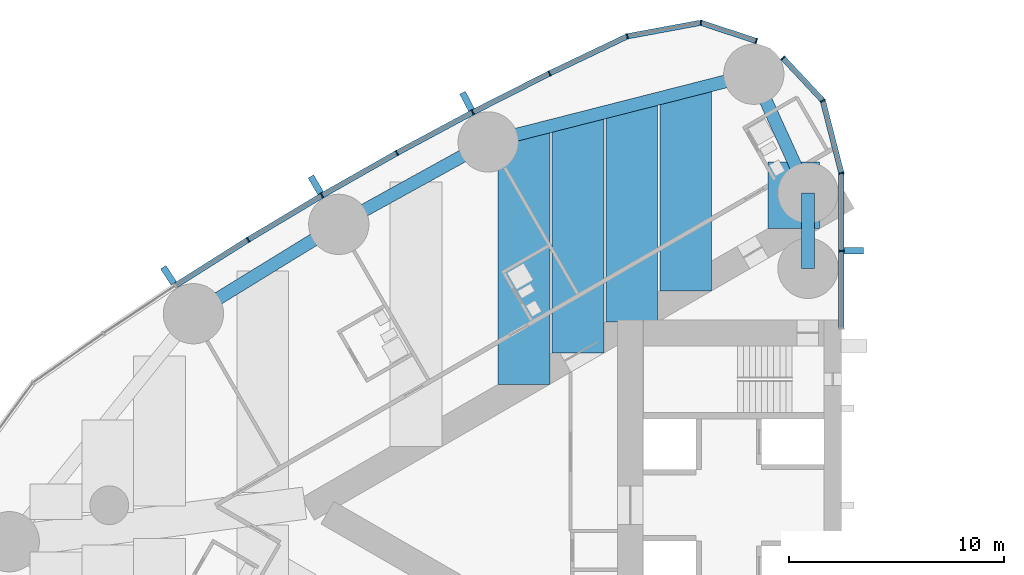
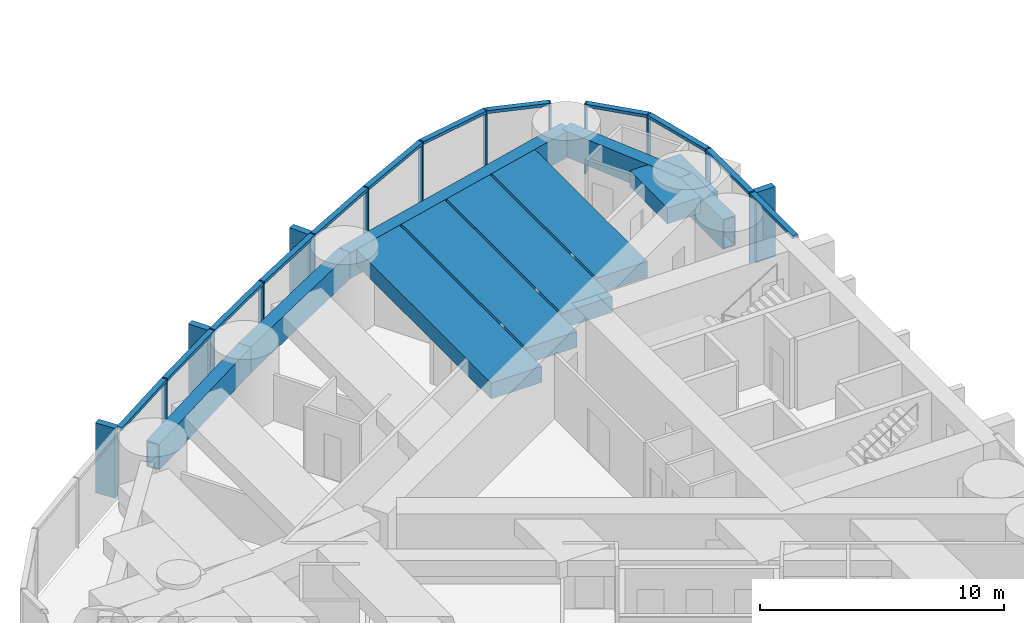
# One storey, part 5 of 19: 28 members, 10 beams, 2 elements without a shape of their own.
"""IFC4 building model written with IfcOpenShell, lengths in metres."""

from ifc_helpers import new_model, si_unit, direction, frame, origin, origin_2d, place, context, subcontext, project, spatial, rectangle, hollow_rectangle, extrude, material, material_profile, profile_set, type_object, element, aggregate, save


model = new_model("IFC4")

# Units and contexts
model_context = context("Model", 3, precision=1e-05, world=origin(), true_north=direction((0.0, 1.0)))
body_context = subcontext(model_context, "Body", "Model", "MODEL_VIEW")
ifc_project = project(units=[si_unit("LENGTHUNIT", "METRE"), si_unit("AREAUNIT", "SQUARE_METRE"), si_unit("VOLUMEUNIT", "CUBIC_METRE"), si_unit("PLANEANGLEUNIT", "RADIAN"), si_unit("MASSUNIT", "GRAM", prefix="KILO")], contexts=[model_context])

# Site, building, storey
site_placement = place(None, origin())
site = spatial("IfcSite", under=ifc_project, at=site_placement, CompositionType="ELEMENT")
building_placement = place(site_placement, origin())
building = spatial("IfcBuilding", under=site, at=building_placement, Name="Lancet Gate Hotel", CompositionType="ELEMENT")
storey_placement = place(building_placement, frame((0.0, 0.0, 198.300048828125)))
storey = spatial("IfcBuildingStorey", under=building, at=storey_placement, Name="L53", CompositionType="ELEMENT", Elevation=198.300048828125)

# Curtain wall, members
ifc_material_1 = material(Name="Aluminium curtain wall", Category="aluminium")
curtain_wall_type = type_object("IfcCurtainWallType", Name="Tower unitised curtain wall", PredefinedType="USERDEFINED", material=ifc_material_1)
curtain_wall_1_placement = place(storey_placement, origin())
curtain_wall_1 = element("IfcCurtainWall", 1, at=curtain_wall_1_placement, inside=storey, type_object=curtain_wall_type, Name="T1 L53 curtain wall 1", ObjectType="UNITISED CURTAIN WALL", PredefinedType="USERDEFINED")
ifc_material_2 = material(Name="Aluminium mullion", Category="aluminium")
ifc_material_profile_1 = material_profile(ifc_material_2, rectangle(XDim=0.06494140625, YDim=0.25, at=origin_2d()), Name="MULLION 65x250")
ifc_profile_set_1 = profile_set([ifc_material_profile_1], Name="Aluminium mullion")
member_type_1 = type_object("IfcMemberType", Name="Aluminium mullion 65x250", PredefinedType="MULLION", material=ifc_profile_set_1)
member_1_placement = place(storey_placement, frame((-27.5, 11.811767578125, 0.0), z_axis=(0.0, 0.0, 1.0), x_axis=(0.0, 1.0, 0.0)))
member_1 = element("IfcMember", 2, at=member_1_placement, type_object=member_type_1, Name="T1 L53 curtain wall 1 mullion 2", PredefinedType="MULLION", context=body_context, shape_type="SweptSolid", body=[
    extrude(rectangle(XDim=0.06494140625, YDim=0.25, at=origin_2d()), origin(), (0.0, 0.0, 1.0), 3.5),
])
member_2_placement = place(storey_placement, frame((-27.5, 15.42333984375, 0.0), z_axis=(0.0, 0.0, 1.0), x_axis=(-0.122467472845, 0.992472527627, 0.0)))
member_2 = element("IfcMember", 3, at=member_2_placement, type_object=member_type_1, Name="T1 L53 curtain wall 1 mullion 3", PredefinedType="MULLION", context=body_context, shape_type="SweptSolid", body=[
    extrude(rectangle(XDim=0.06494140625, YDim=0.25, at=origin_2d()), origin(), (0.0, 0.0, 1.0), 3.5),
])
member_3_placement = place(storey_placement, frame((-28.360595703125, 18.7861328125, 0.0), z_axis=(0.0, 0.0, 1.0), x_axis=(-0.452507601198, 0.891760545695, 0.0)))
member_3 = element("IfcMember", 4, at=member_3_placement, type_object=member_type_1, Name="T1 L53 curtain wall 1 mullion 4", PredefinedType="MULLION", context=body_context, shape_type="SweptSolid", body=[
    extrude(rectangle(XDim=0.06494140625, YDim=0.25, at=origin_2d()), origin(), (0.0, 0.0, 1.0), 3.5),
])
member_4_placement = place(storey_placement, frame((-30.210693359375, 20.765625, 0.0), z_axis=(0.0, 0.0, 1.0), x_axis=(-0.682844962172, 0.730563315282, 0.0)))
member_4 = element("IfcMember", 5, at=member_4_placement, type_object=member_type_1, Name="T1 L53 curtain wall 1 mullion 5", PredefinedType="MULLION", context=body_context, shape_type="SweptSolid", body=[
    extrude(rectangle(XDim=0.06494140625, YDim=0.25, at=origin_2d()), origin(), (0.0, 0.0, 1.0), 3.5),
])

curtain_wall_2_placement = place(storey_placement, origin())
curtain_wall_2 = element("IfcCurtainWall", 6, at=curtain_wall_2_placement, inside=storey, type_object=curtain_wall_type, Name="T1 L53 curtain wall 2", ObjectType="UNITISED CURTAIN WALL", PredefinedType="USERDEFINED")
member_5_placement = place(storey_placement, frame((-31.45263671875, 21.5595703125, 0.0), z_axis=(0.0, 0.0, 1.0), x_axis=(-0.949848055084, 0.312711803827, 0.0)))
member_5 = element("IfcMember", 7, at=member_5_placement, type_object=member_type_1, Name="T1 L53 curtain wall 2 mullion 1", PredefinedType="MULLION", context=body_context, shape_type="SweptSolid", body=[
    extrude(rectangle(XDim=0.06494140625, YDim=0.25, at=origin_2d()), origin(), (0.0, 0.0, 1.0), 3.5),
])
member_6_placement = place(storey_placement, frame((-34.02783203125, 22.407470703125, 0.0), z_axis=(0.0, 0.0, 1.0), x_axis=(-0.999350473622, 0.036036521361, 0.0)))
member_6 = element("IfcMember", 8, at=member_6_placement, type_object=member_type_1, Name="T1 L53 curtain wall 2 mullion 2", PredefinedType="MULLION", context=body_context, shape_type="SweptSolid", body=[
    extrude(rectangle(XDim=0.06494140625, YDim=0.25, at=origin_2d()), origin(), (0.0, 0.0, 1.0), 3.5),
])
member_7_placement = place(storey_placement, frame((-37.44091796875, 21.775634765625, 0.0), z_axis=(0.0, 0.0, 1.0), x_axis=(-0.948119321052, -0.317914694609, 0.0)))
member_7 = element("IfcMember", 9, at=member_7_placement, type_object=member_type_1, Name="T1 L53 curtain wall 2 mullion 3", PredefinedType="MULLION", context=body_context, shape_type="SweptSolid", body=[
    extrude(rectangle(XDim=0.06494140625, YDim=0.25, at=origin_2d()), origin(), (0.0, 0.0, 1.0), 3.5),
])
member_8_placement = place(storey_placement, frame((-41.0498046875, 20.052978515625, 0.0), z_axis=(0.0, 0.0, 1.0), x_axis=(-0.897324392142, -0.441371652088, 0.0)))
member_8 = element("IfcMember", 10, at=member_8_placement, type_object=member_type_1, Name="T1 L53 curtain wall 2 mullion 4", PredefinedType="MULLION", context=body_context, shape_type="SweptSolid", body=[
    extrude(rectangle(XDim=0.06494140625, YDim=0.25, at=origin_2d()), origin(), (0.0, 0.0, 1.0), 3.5),
])
member_9_placement = place(storey_placement, frame((-44.6171875, 18.245849609375, 0.0), z_axis=(0.0, 0.0, 1.0), x_axis=(-0.886694440064, -0.462355891019, 0.0)))
member_9 = element("IfcMember", 11, at=member_9_placement, type_object=member_type_1, Name="T1 L53 curtain wall 2 mullion 5", PredefinedType="MULLION", context=body_context, shape_type="SweptSolid", body=[
    extrude(rectangle(XDim=0.06494140625, YDim=0.25, at=origin_2d()), origin(), (0.0, 0.0, 1.0), 3.5),
])
member_10_placement = place(storey_placement, frame((-48.140869140625, 16.355224609375, 0.0), z_axis=(0.0, 0.0, 1.0), x_axis=(-0.87557384965, -0.483084292654, 0.0)))
member_10 = element("IfcMember", 12, at=member_10_placement, type_object=member_type_1, Name="T1 L53 curtain wall 2 mullion 6", PredefinedType="MULLION", context=body_context, shape_type="SweptSolid", body=[
    extrude(rectangle(XDim=0.06494140625, YDim=0.25, at=origin_2d()), origin(), (0.0, 0.0, 1.0), 3.5),
])
member_11_placement = place(storey_placement, frame((-51.619384765625, 14.38232421875, 0.0), z_axis=(0.0, 0.0, 1.0), x_axis=(-0.863968774311, -0.503545387245, 0.0)))
member_11 = element("IfcMember", 13, at=member_11_placement, type_object=member_type_1, Name="T1 L53 curtain wall 2 mullion 7", PredefinedType="MULLION", context=body_context, shape_type="SweptSolid", body=[
    extrude(rectangle(XDim=0.06494140625, YDim=0.25, at=origin_2d()), origin(), (0.0, 0.0, 1.0), 3.5),
])
member_12_placement = place(storey_placement, frame((-55.05029296875, 12.328369140625, 0.0), z_axis=(0.0, 0.0, 1.0), x_axis=(-0.851885635531, -0.52372785297, 0.0)))
member_12 = element("IfcMember", 14, at=member_12_placement, type_object=member_type_1, Name="T1 L53 curtain wall 2 mullion 8", PredefinedType="MULLION", context=body_context, shape_type="SweptSolid", body=[
    extrude(rectangle(XDim=0.06494140625, YDim=0.25, at=origin_2d()), origin(), (0.0, 0.0, 1.0), 3.5),
])

# Member
ifc_material_3 = material(Name="Aluminium transom", Category="aluminium")
ifc_material_profile_2 = material_profile(ifc_material_3, rectangle(XDim=0.25, YDim=0.14990234375, at=origin_2d()), Name="TRANSOM 250x150")
ifc_profile_set_2 = profile_set([ifc_material_profile_2], Name="Aluminium transom")
member_type_2 = type_object("IfcMemberType", Name="Aluminium transom 250x150", PredefinedType="USERDEFINED", material=ifc_profile_set_2)
member_13_placement = place(storey_placement, frame((-27.5, 8.232421875, 3.425048828125), z_axis=(0.0, 1.0, 0.0), x_axis=(-1.0, 0.0, 0.0)))
member_13 = element("IfcMember", 15, at=member_13_placement, type_object=member_type_2, Name="T1 L53 curtain wall 1 transom 1", ObjectType="TRANSOM", PredefinedType="USERDEFINED", context=body_context, shape_type="SweptSolid", body=[
    extrude(rectangle(XDim=0.25, YDim=0.14990234375, at=origin_2d()), origin(), (0.0, 0.0, 1.0), 3.546875),
])

member_14_placement = place(storey_placement, frame((-27.5, 11.84423828125, 3.425048828125), z_axis=(0.0, 1.0, 0.0), x_axis=(-1.0, 0.0, 0.0)))
member_14 = element("IfcMember", 16, at=member_14_placement, type_object=member_type_2, Name="T1 L53 curtain wall 1 transom 2", ObjectType="TRANSOM", PredefinedType="USERDEFINED", context=body_context, shape_type="SweptSolid", body=[
    extrude(rectangle(XDim=0.25, YDim=0.14990234375, at=origin_2d()), origin(), (0.0, 0.0, 1.0), 3.546630859375),
])

member_15_placement = place(storey_placement, frame((-27.508056640625, 15.454833984375, 3.425048828125), z_axis=(-0.247928683912, 0.968778286139, 0.0), x_axis=(-0.968778286139, -0.247928683912, 0.0)))
member_15 = element("IfcMember", 17, at=member_15_placement, type_object=member_type_2, Name="T1 L53 curtain wall 1 transom 3", ObjectType="TRANSOM", PredefinedType="USERDEFINED", context=body_context, shape_type="SweptSolid", body=[
    extrude(rectangle(XDim=0.25, YDim=0.14990234375, at=origin_2d()), origin(), (0.0, 0.0, 1.0), 3.40625),
])

member_16_placement = place(storey_placement, frame((-28.3828125, 18.809814453125, 3.425048828125), z_axis=(-0.682841037959, 0.730566983157, 0.0), x_axis=(-0.730566983157, -0.682841037959, 0.0)))
member_16 = element("IfcMember", 18, at=member_16_placement, type_object=member_type_2, Name="T1 L53 curtain wall 1 transom 4", ObjectType="TRANSOM", PredefinedType="USERDEFINED", context=body_context, shape_type="SweptSolid", body=[
    extrude(rectangle(XDim=0.25, YDim=0.14990234375, at=origin_2d()), origin(), (0.0, 0.0, 1.0), 2.644775390625),
])

member_17_placement = place(storey_placement, frame((-31.483642578125, 21.56982421875, 3.425048828125), z_axis=(-0.949857661259, 0.312682623993, 0.0), x_axis=(-0.312682623993, -0.949857661259, 0.0)))
member_17 = element("IfcMember", 19, at=member_17_placement, type_object=member_type_2, Name="T1 L53 curtain wall 2 transom 1", ObjectType="TRANSOM", PredefinedType="USERDEFINED", context=body_context, shape_type="SweptSolid", body=[
    extrude(rectangle(XDim=0.25, YDim=0.14990234375, at=origin_2d()), origin(), (0.0, 0.0, 1.0), 2.64599609375),
])

member_18_placement = place(storey_placement, frame((-34.059814453125, 22.401611328125, 3.425048828125), z_axis=(-0.983286757871, -0.182063592724, 0.0), x_axis=(0.182063592724, -0.983286757871, 0.0)))
member_18 = element("IfcMember", 20, at=member_18_placement, type_object=member_type_2, Name="T1 L53 curtain wall 2 transom 2", ObjectType="TRANSOM", PredefinedType="USERDEFINED", context=body_context, shape_type="SweptSolid", body=[
    extrude(rectangle(XDim=0.25, YDim=0.14990234375, at=origin_2d()), origin(), (0.0, 0.0, 1.0), 3.406005859375),
])

member_19_placement = place(storey_placement, frame((-37.47021484375, 21.761474609375, 3.425048828125), z_axis=(-0.902468975385, -0.430754858902, 0.0), x_axis=(0.430754858902, -0.902468975385, 0.0)))
member_19 = element("IfcMember", 21, at=member_19_placement, type_object=member_type_2, Name="T1 L53 curtain wall 2 transom 3", ObjectType="TRANSOM", PredefinedType="USERDEFINED", context=body_context, shape_type="SweptSolid", body=[
    extrude(rectangle(XDim=0.25, YDim=0.14990234375, at=origin_2d()), origin(), (0.0, 0.0, 1.0), 3.93408203125),
])

member_20_placement = place(storey_placement, frame((-41.078857421875, 20.0380859375, 3.425048828125), z_axis=(-0.892081477453, -0.451874581699, 0.0), x_axis=(0.451874581699, -0.892081477453, 0.0)))
member_20 = element("IfcMember", 22, at=member_20_placement, type_object=member_type_2, Name="T1 L53 curtain wall 2 transom 4", ObjectType="TRANSOM", PredefinedType="USERDEFINED", context=body_context, shape_type="SweptSolid", body=[
    extrude(rectangle(XDim=0.25, YDim=0.14990234375, at=origin_2d()), origin(), (0.0, 0.0, 1.0), 3.933837890625),
])

member_21_placement = place(storey_placement, frame((-44.645751953125, 18.23046875, 3.425048828125), z_axis=(-0.881185491994, -0.472770693571, 0.0), x_axis=(0.472770693571, -0.881185491994, 0.0)))
member_21 = element("IfcMember", 23, at=member_21_placement, type_object=member_type_2, Name="T1 L53 curtain wall 2 transom 5", ObjectType="TRANSOM", PredefinedType="USERDEFINED", context=body_context, shape_type="SweptSolid", body=[
    extrude(rectangle(XDim=0.25, YDim=0.14990234375, at=origin_2d()), origin(), (0.0, 0.0, 1.0), 3.93408203125),
])

member_22_placement = place(storey_placement, frame((-48.169189453125, 16.33935546875, 3.425048828125), z_axis=(-0.869819807367, -0.493369539709, 0.0), x_axis=(0.493369539709, -0.869819807367, 0.0)))
member_22 = element("IfcMember", 24, at=member_22_placement, type_object=member_type_2, Name="T1 L53 curtain wall 2 transom 6", ObjectType="TRANSOM", PredefinedType="USERDEFINED", context=body_context, shape_type="SweptSolid", body=[
    extrude(rectangle(XDim=0.25, YDim=0.14990234375, at=origin_2d()), origin(), (0.0, 0.0, 1.0), 3.93408203125),
])

member_23_placement = place(storey_placement, frame((-51.647216796875, 14.36572265625, 3.425048828125), z_axis=(-0.857985365092, -0.513674131419, 0.0), x_axis=(0.513674131419, -0.857985365092, 0.0)))
member_23 = element("IfcMember", 25, at=member_23_placement, type_object=member_type_2, Name="T1 L53 curtain wall 2 transom 7", ObjectType="TRANSOM", PredefinedType="USERDEFINED", context=body_context, shape_type="SweptSolid", body=[
    extrude(rectangle(XDim=0.25, YDim=0.14990234375, at=origin_2d()), origin(), (0.0, 0.0, 1.0), 3.933837890625),
])

member_24_placement = place(storey_placement, frame((-55.077880859375, 12.31103515625, 3.425048828125), z_axis=(-0.845671711095, -0.53370343549, 0.0), x_axis=(0.53370343549, -0.845671711095, 0.0)))
member_24 = element("IfcMember", 26, at=member_24_placement, type_object=member_type_2, Name="T1 L53 curtain wall 2 transom 8", ObjectType="TRANSOM", PredefinedType="USERDEFINED", context=body_context, shape_type="SweptSolid", body=[
    extrude(rectangle(XDim=0.25, YDim=0.14990234375, at=origin_2d()), origin(), (0.0, 0.0, 1.0), 3.93408203125),
])

# Beams
ifc_material_4 = material(Name="Steel S460QL", Category="steel")
ifc_material_profile_3 = material_profile(ifc_material_4, hollow_rectangle(XDim=0.60009765625, YDim=1.300048828125, WallThickness=0.050048828125, at=origin_2d()), Name="BOX 1300x600x50")
ifc_profile_set_3 = profile_set([ifc_material_profile_3], Name="Steel S460QL")
beam_type_1 = type_object("IfcBeamType", Name="Edge beam BOX 1300x600x50", PredefinedType="SPANDREL", material=ifc_profile_set_3)
beam_1_placement = place(storey_placement, frame((-31.5654296875, 20.015869140625, 2.599853515625), z_axis=(-0.969008414312, -0.247027717052, 0.0), x_axis=(0.247027717052, -0.969008414312, 0.0)))
element("IfcBeam", 27, at=beam_1_placement, inside=storey, type_object=beam_type_1, Name="T1 edge beam EB2 L53", PredefinedType="SPANDREL", context=body_context, shape_type="SweptSolid", body=[
    extrude(hollow_rectangle(XDim=0.60009765625, YDim=1.300048828125, WallThickness=0.050048828125, at=origin_2d()), origin(), (0.0, 0.0, 1.0), 12.7294921875),
])
beam_2_placement = place(storey_placement, frame((-43.900390625, 16.871337890625, 2.599853515625), z_axis=(-0.875577684027, -0.483077342911, 0.0), x_axis=(0.483077342911, -0.875577684027, 0.0)))
element("IfcBeam", 28, at=beam_2_placement, inside=storey, type_object=beam_type_1, Name="T1 edge beam EB2 L53", PredefinedType="SPANDREL", context=body_context, shape_type="SweptSolid", body=[
    extrude(hollow_rectangle(XDim=0.60009765625, YDim=1.300048828125, WallThickness=0.050048828125, at=origin_2d()), origin(), (0.0, 0.0, 1.0), 7.924560546875),
])
beam_3_placement = place(storey_placement, frame((-50.8388671875, 13.043212890625, 2.599853515625), z_axis=(-0.851892008043, -0.523717487423, 0.0), x_axis=(0.523717487423, -0.851892008043, 0.0)))
element("IfcBeam", 29, at=beam_3_placement, inside=storey, type_object=beam_type_1, Name="T1 edge beam EB2 L53", PredefinedType="SPANDREL", context=body_context, shape_type="SweptSolid", body=[
    extrude(hollow_rectangle(XDim=0.60009765625, YDim=1.300048828125, WallThickness=0.050048828125, at=origin_2d()), origin(), (0.0, 0.0, 1.0), 7.92431640625),
])
beam_4_placement = place(storey_placement, frame((-31.5654296875, 20.015869140625, 2.599853515625), z_axis=(0.414919206993, -0.909858259109, 0.0), x_axis=(0.909858259109, 0.414919206993, 0.0)))
element("IfcBeam", 30, at=beam_4_placement, inside=storey, type_object=beam_type_1, Name="T1 edge beam EB2 L53", PredefinedType="SPANDREL", context=body_context, shape_type="SweptSolid", body=[
    extrude(hollow_rectangle(XDim=0.60009765625, YDim=1.300048828125, WallThickness=0.050048828125, at=origin_2d()), origin(), (0.0, 0.0, 1.0), 6.062255859375),
])

# Member
ifc_material_5 = material(Name="Precast concrete C50/60", Category="concrete")
ifc_material_profile_4 = material_profile(ifc_material_5, rectangle(XDim=0.300048828125, YDim=0.89990234375, at=origin_2d()), Name="FIN 300x900")
ifc_profile_set_4 = profile_set([ifc_material_profile_4], Name="Precast concrete C50/60")
member_type_3 = type_object("IfcMemberType", Name="Exposed concrete fin 300x900", PredefinedType="USERDEFINED", material=ifc_profile_set_4)
member_25_placement = place(storey_placement, frame((-26.925048828125, 11.811767578125, 0.0), z_axis=(0.0, 0.0, 1.0), x_axis=(0.0, 1.0, 0.0)))
member_25 = element("IfcMember", 31, at=member_25_placement, type_object=member_type_3, Name="T1 L53 curtain wall 1 fin 2", ObjectType="FIN", PredefinedType="USERDEFINED", context=body_context, shape_type="SweptSolid", body=[
    extrude(rectangle(XDim=0.300048828125, YDim=0.89990234375, at=origin_2d()), origin(), (0.0, 0.0, 1.0), 3.5),
])

aggregate(curtain_wall_1, [member_1, member_25, member_2, member_3, member_4, member_13, member_14, member_15, member_16])

member_26_placement = place(storey_placement, frame((-44.883056640625, 18.755615234375, 0.0), z_axis=(0.0, 0.0, 1.0), x_axis=(-0.886694440064, -0.462355891019, 0.0)))
member_26 = element("IfcMember", 32, at=member_26_placement, type_object=member_type_3, Name="T1 L53 curtain wall 2 fin 5", ObjectType="FIN", PredefinedType="USERDEFINED", context=body_context, shape_type="SweptSolid", body=[
    extrude(rectangle(XDim=0.300048828125, YDim=0.89990234375, at=origin_2d()), origin(), (0.0, 0.0, 1.0), 3.5),
])

member_27_placement = place(storey_placement, frame((-51.908935546875, 14.879150390625, 0.0), z_axis=(0.0, 0.0, 1.0), x_axis=(-0.863968774311, -0.503545387245, 0.0)))
member_27 = element("IfcMember", 33, at=member_27_placement, type_object=member_type_3, Name="T1 L53 curtain wall 2 fin 7", ObjectType="FIN", PredefinedType="USERDEFINED", context=body_context, shape_type="SweptSolid", body=[
    extrude(rectangle(XDim=0.300048828125, YDim=0.89990234375, at=origin_2d()), origin(), (0.0, 0.0, 1.0), 3.5),
])

member_28_placement = place(storey_placement, frame((-58.74462890625, 10.6767578125, 0.0), z_axis=(0.0, 0.0, 1.0), x_axis=(-0.839331119324, -0.54362052218, 0.0)))
member_28 = element("IfcMember", 34, at=member_28_placement, type_object=member_type_3, Name="T1 L53 curtain wall 2 fin 9", ObjectType="FIN", PredefinedType="USERDEFINED", context=body_context, shape_type="SweptSolid", body=[
    extrude(rectangle(XDim=0.300048828125, YDim=0.89990234375, at=origin_2d()), origin(), (0.0, 0.0, 1.0), 3.5),
])

aggregate(curtain_wall_2, [member_5, member_6, member_7, member_8, member_9, member_26, member_10, member_11, member_27, member_12, member_28, member_17, member_18, member_19, member_20, member_21, member_22, member_23, member_24])

# Beams
ifc_material_6 = material(Name="Concrete C50/60", Category="concrete")
ifc_material_profile_5 = material_profile(ifc_material_6, rectangle(XDim=2.39990234375, YDim=0.800048828125, at=origin_2d()), Name="RC 2400x800")
ifc_profile_set_5 = profile_set([ifc_material_profile_5], Name="Concrete C50/60")
beam_type_2 = type_object("IfcBeamType", Name="Floor beam RC 2400x800", PredefinedType="BEAM", material=ifc_profile_set_5)
beam_5_placement = place(storey_placement, frame((-29.706787109375, 15.940185546875, 2.849853515625), z_axis=(0.0, -1.0, 0.0), x_axis=(1.0, 0.0, 0.0)))
element("IfcBeam", 35, at=beam_5_placement, inside=storey, type_object=beam_type_2, Name="T1 floor beam F01S L53", PredefinedType="BEAM", context=body_context, shape_type="SweptSolid", body=[
    extrude(rectangle(XDim=2.39990234375, YDim=0.800048828125, at=origin_2d()), origin(), (0.0, 0.0, 1.0), 3.087646484375),
])
beam_6_placement = place(storey_placement, frame((-34.720458984375, 19.211669921875, 2.849853515625), z_axis=(0.0, -1.0, 0.0), x_axis=(1.0, 0.0, 0.0)))
element("IfcBeam", 36, at=beam_6_placement, inside=storey, type_object=beam_type_2, Name="T1 floor beam F03S L53", PredefinedType="BEAM", context=body_context, shape_type="SweptSolid", body=[
    extrude(rectangle(XDim=2.39990234375, YDim=0.800048828125, at=origin_2d()), origin(), (0.0, 0.0, 1.0), 9.253662109375),
])
beam_7_placement = place(storey_placement, frame((-37.227294921875, 18.572509765625, 2.849853515625), z_axis=(0.0, -1.0, 0.0), x_axis=(1.0, 0.0, 0.0)))
element("IfcBeam", 37, at=beam_7_placement, inside=storey, type_object=beam_type_2, Name="T1 floor beam F04S L53", PredefinedType="BEAM", context=body_context, shape_type="SweptSolid", body=[
    extrude(rectangle(XDim=2.39990234375, YDim=0.800048828125, at=origin_2d()), origin(), (0.0, 0.0, 1.0), 10.061767578125),
])
beam_8_placement = place(storey_placement, frame((-39.734130859375, 17.93359375, 2.849853515625), z_axis=(0.0, -1.0, 0.0), x_axis=(1.0, 0.0, 0.0)))
element("IfcBeam", 38, at=beam_8_placement, inside=storey, type_object=beam_type_2, Name="T1 floor beam F06S L53", PredefinedType="BEAM", context=body_context, shape_type="SweptSolid", body=[
    extrude(rectangle(XDim=2.39990234375, YDim=0.800048828125, at=origin_2d()), origin(), (0.0, 0.0, 1.0), 10.8701171875),
])
beam_9_placement = place(storey_placement, frame((-42.240966796875, 17.29443359375, 2.849853515625), z_axis=(0.0, -1.0, 0.0), x_axis=(1.0, 0.0, 0.0)))
element("IfcBeam", 39, at=beam_9_placement, inside=storey, type_object=beam_type_2, Name="T1 floor beam F07S L53", PredefinedType="BEAM", context=body_context, shape_type="SweptSolid", body=[
    extrude(rectangle(XDim=2.39990234375, YDim=0.800048828125, at=origin_2d()), origin(), (0.0, 0.0, 1.0), 11.678466796875),
])
ifc_material_7 = material(Name="Steel S460QL", Category="steel")
ifc_material_profile_6 = material_profile(ifc_material_7, hollow_rectangle(XDim=0.60009765625, YDim=1.5, WallThickness=0.050048828125, at=origin_2d()), Name="BOX 1500x600x50")
ifc_profile_set_6 = profile_set([ifc_material_profile_6], Name="Steel S460QL")
beam_type_3 = type_object("IfcBeamType", Name="Inner-face link beam BOX 1500x600x50", PredefinedType="BEAM", material=ifc_profile_set_6)
beam_10_placement = place(storey_placement, frame((-29.050048828125, 14.5, 2.5), z_axis=(0.0, -1.0, 0.0), x_axis=(1.0, 0.0, 0.0)))
element("IfcBeam", 40, at=beam_10_placement, inside=storey, type_object=beam_type_3, Name="T1 inner-face link beam LK1 L53", PredefinedType="BEAM", context=body_context, shape_type="SweptSolid", body=[
    extrude(hollow_rectangle(XDim=0.60009765625, YDim=1.5, WallThickness=0.050048828125, at=origin_2d()), origin(), (0.0, 0.0, 1.0), 3.5),
])

save(model, "model.ifc")
